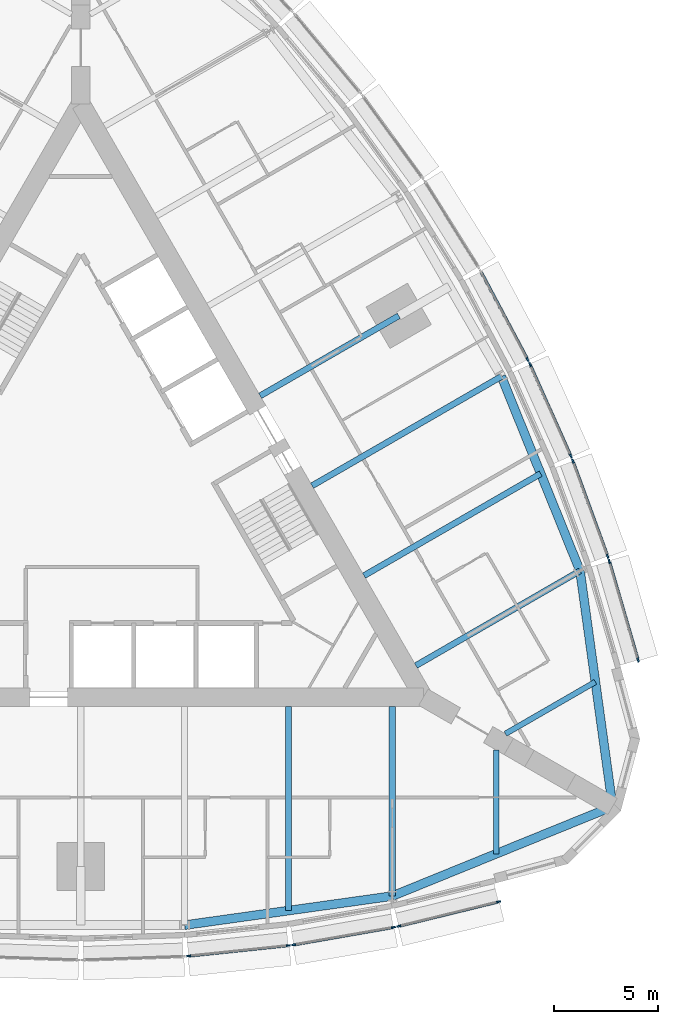
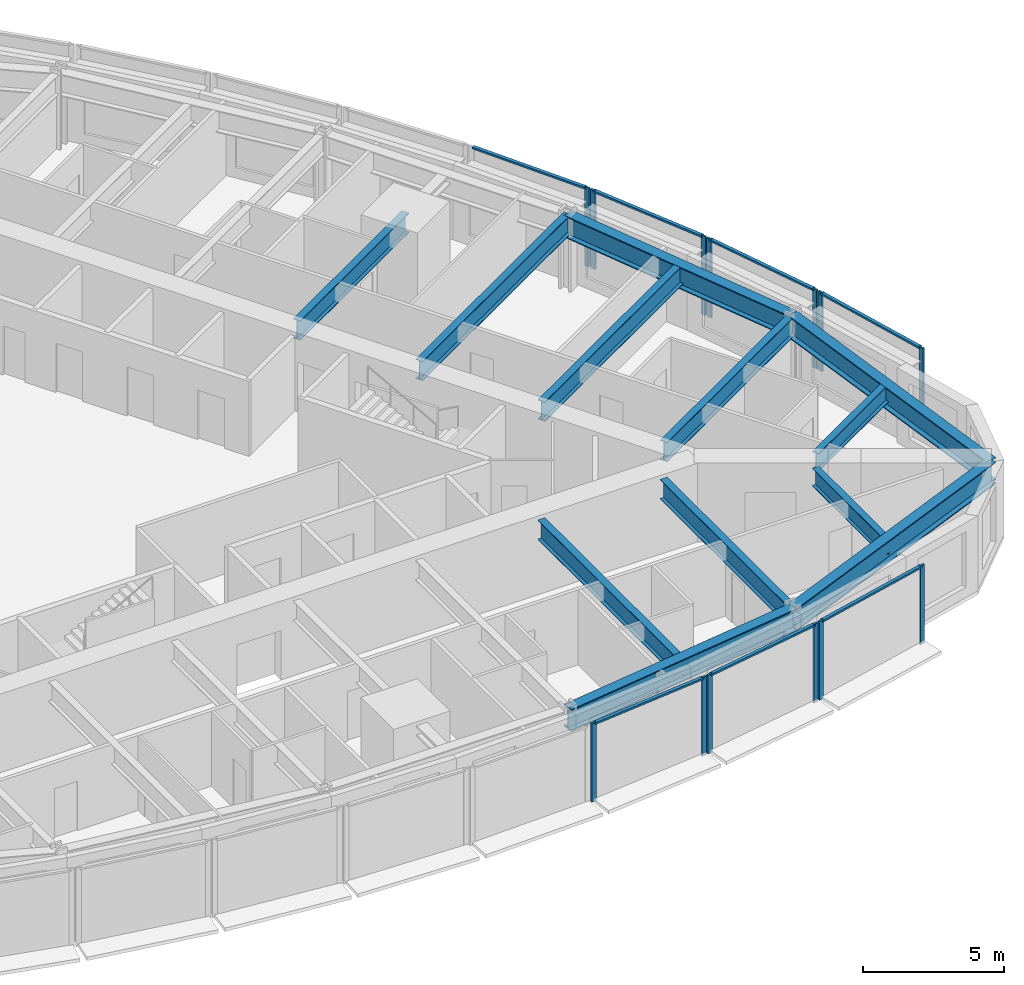
# One storey, part 3 of 14: 20 members, 12 beams, 7 elements without a shape of their own.
"""IFC4 building model written with IfcOpenShell, lengths in metres."""

from ifc_helpers import new_model, si_unit, direction, frame, origin, origin_2d, place, context, subcontext, project, spatial, rectangle, i_section, extrude, material, material_profile, profile_set, type_object, element, aggregate, save


model = new_model("IFC4")

# Units and contexts
model_context = context("Model", 3, precision=1e-05, world=origin(), true_north=direction((0.0, 1.0)))
body_context = subcontext(model_context, "Body", "Model", "MODEL_VIEW")
ifc_project = project(units=[si_unit("LENGTHUNIT", "METRE"), si_unit("AREAUNIT", "SQUARE_METRE"), si_unit("VOLUMEUNIT", "CUBIC_METRE"), si_unit("PLANEANGLEUNIT", "RADIAN"), si_unit("MASSUNIT", "GRAM", prefix="KILO")], contexts=[model_context])

# Site, building, storey
site_placement = place(None, origin())
site = spatial("IfcSite", under=ifc_project, at=site_placement, CompositionType="ELEMENT")
building_placement = place(site_placement, origin())
building = spatial("IfcBuilding", under=site, at=building_placement, Name="Trikona Tower", CompositionType="ELEMENT")
storey_placement = place(building_placement, frame((0.0, 0.0, 169.10009765625)))
storey = spatial("IfcBuildingStorey", under=building, at=storey_placement, Name="L45", CompositionType="ELEMENT", Elevation=169.10009765625)

# Curtain wall, members
ifc_material_1 = material(Name="Aluminium curtain wall system", Category="aluminium")
curtain_wall_type = type_object("IfcCurtainWallType", Name="Curtain wall DS2", PredefinedType="NOTDEFINED", material=ifc_material_1)
curtain_wall_1_placement = place(storey_placement, origin())
curtain_wall_1 = element("IfcCurtainWall", 1, at=curtain_wall_1_placement, inside=storey, type_object=curtain_wall_type, Name="Curtain wall DS2 L45", PredefinedType="NOTDEFINED")
ifc_material_2 = material(Name="Aluminium mullion, pale anodised", Category="aluminium")
ifc_material_profile_1 = material_profile(ifc_material_2, rectangle(XDim=0.080078125, YDim=0.199951171875, at=origin_2d()), Name="MUL-DS2")
ifc_profile_set_1 = profile_set([ifc_material_profile_1], Name="Aluminium mullion, pale anodised")
member_type_1 = type_object("IfcMemberType", Name="Mullion DS2 80x200", PredefinedType="MULLION", material=ifc_profile_set_1)
member_1_placement = place(storey_placement, frame((5.193359375, -21.98486328125, 0.0), z_axis=(0.0, 0.0, 1.0), x_axis=(-0.104433387357, 0.994531883654, 0.0)))
member_1 = element("IfcMember", 2, at=member_1_placement, type_object=member_type_1, Name="CW-DS2 mullion 1", PredefinedType="MULLION", context=body_context, shape_type="SweptSolid", body=[
    extrude(rectangle(XDim=0.080078125, YDim=0.199951171875, at=origin_2d()), origin(), (0.0, 0.0, 1.0), 3.39990234375),
])
member_2_placement = place(storey_placement, frame((9.99462890625, -21.480712890625, 0.0), z_axis=(0.0, 0.0, 1.0), x_axis=(-0.104433387357, 0.994531883654, 0.0)))
member_2 = element("IfcMember", 3, at=member_2_placement, type_object=member_type_1, Name="CW-DS2 mullion 2", PredefinedType="MULLION", context=body_context, shape_type="SweptSolid", body=[
    extrude(rectangle(XDim=0.080078125, YDim=0.199951171875, at=origin_2d()), origin(), (0.0, 0.0, 1.0), 3.39990234375),
])

curtain_wall_2_placement = place(storey_placement, origin())
curtain_wall_2 = element("IfcCurtainWall", 4, at=curtain_wall_2_placement, inside=storey, type_object=curtain_wall_type, Name="Curtain wall DS2 L45", PredefinedType="NOTDEFINED")
member_3_placement = place(storey_placement, frame((10.253662109375, -21.444580078125, 0.0), z_axis=(0.0, 0.0, 1.0), x_axis=(-0.17237739505, 0.985030981074, 0.0)))
member_3 = element("IfcMember", 5, at=member_3_placement, type_object=member_type_1, Name="CW-DS2 mullion 1", PredefinedType="MULLION", context=body_context, shape_type="SweptSolid", body=[
    extrude(rectangle(XDim=0.080078125, YDim=0.199951171875, at=origin_2d()), origin(), (0.0, 0.0, 1.0), 3.39990234375),
])
member_4_placement = place(storey_placement, frame((15.056640625, -20.60400390625, 0.0), z_axis=(0.0, 0.0, 1.0), x_axis=(-0.17237739505, 0.985030981074, 0.0)))
member_4 = element("IfcMember", 6, at=member_4_placement, type_object=member_type_1, Name="CW-DS2 mullion 2", PredefinedType="MULLION", context=body_context, shape_type="SweptSolid", body=[
    extrude(rectangle(XDim=0.080078125, YDim=0.199951171875, at=origin_2d()), origin(), (0.0, 0.0, 1.0), 3.39990234375),
])

curtain_wall_3_placement = place(storey_placement, origin())
curtain_wall_3 = element("IfcCurtainWall", 7, at=curtain_wall_3_placement, inside=storey, type_object=curtain_wall_type, Name="Curtain wall DS2 L45", PredefinedType="NOTDEFINED")
member_5_placement = place(storey_placement, frame((15.311279296875, -20.550537109375, 0.0), z_axis=(0.0, 0.0, 1.0), x_axis=(-0.237970204243, 0.971272455026, 0.0)))
member_5 = element("IfcMember", 8, at=member_5_placement, type_object=member_type_1, Name="CW-DS2 mullion 1", PredefinedType="MULLION", context=body_context, shape_type="SweptSolid", body=[
    extrude(rectangle(XDim=0.080078125, YDim=0.199951171875, at=origin_2d()), origin(), (0.0, 0.0, 1.0), 3.39990234375),
])
member_6_placement = place(storey_placement, frame((20.116943359375, -19.373046875, 0.0), z_axis=(0.0, 0.0, 1.0), x_axis=(-0.237970204243, 0.971272455026, 0.0)))
member_6 = element("IfcMember", 9, at=member_6_placement, type_object=member_type_1, Name="CW-DS2 mullion 2", PredefinedType="MULLION", context=body_context, shape_type="SweptSolid", body=[
    extrude(rectangle(XDim=0.080078125, YDim=0.199951171875, at=origin_2d()), origin(), (0.0, 0.0, 1.0), 3.39990234375),
])

curtain_wall_4_placement = place(storey_placement, origin())
curtain_wall_4 = element("IfcCurtainWall", 10, at=curtain_wall_4_placement, inside=storey, type_object=curtain_wall_type, Name="Curtain wall DS2 L45", PredefinedType="NOTDEFINED")
member_7_placement = place(storey_placement, frame((26.836181640625, -7.7353515625, 0.0), z_axis=(0.0, 0.0, 1.0), x_axis=(-0.96013310152, -0.279543247757, 0.0)))
member_7 = element("IfcMember", 11, at=member_7_placement, type_object=member_type_1, Name="CW-DS2 mullion 1", PredefinedType="MULLION", context=body_context, shape_type="SweptSolid", body=[
    extrude(rectangle(XDim=0.080078125, YDim=0.199951171875, at=origin_2d()), origin(), (0.0, 0.0, 1.0), 3.39990234375),
])
member_8_placement = place(storey_placement, frame((25.452880859375, -2.984619140625, 0.0), z_axis=(0.0, 0.0, 1.0), x_axis=(-0.96013310152, -0.279543247757, 0.0)))
member_8 = element("IfcMember", 12, at=member_8_placement, type_object=member_type_1, Name="CW-DS2 mullion 2", PredefinedType="MULLION", context=body_context, shape_type="SweptSolid", body=[
    extrude(rectangle(XDim=0.080078125, YDim=0.199951171875, at=origin_2d()), origin(), (0.0, 0.0, 1.0), 3.39990234375),
])

curtain_wall_5_placement = place(storey_placement, origin())
curtain_wall_5 = element("IfcCurtainWall", 13, at=curtain_wall_5_placement, inside=storey, type_object=curtain_wall_type, Name="Curtain wall DS2 L45", PredefinedType="NOTDEFINED")
member_9_placement = place(storey_placement, frame((25.371826171875, -2.737548828125, 0.0), z_axis=(0.0, 0.0, 1.0), x_axis=(-0.939253790978, -0.343223420143, 0.0)))
member_9 = element("IfcMember", 14, at=member_9_placement, type_object=member_type_1, Name="CW-DS2 mullion 1", PredefinedType="MULLION", context=body_context, shape_type="SweptSolid", body=[
    extrude(rectangle(XDim=0.080078125, YDim=0.199951171875, at=origin_2d()), origin(), (0.0, 0.0, 1.0), 3.39990234375),
])
member_10_placement = place(storey_placement, frame((23.6982421875, 1.84228515625, 0.0), z_axis=(0.0, 0.0, 1.0), x_axis=(-0.939253790978, -0.343223420143, 0.0)))
member_10 = element("IfcMember", 15, at=member_10_placement, type_object=member_type_1, Name="CW-DS2 mullion 2", PredefinedType="MULLION", context=body_context, shape_type="SweptSolid", body=[
    extrude(rectangle(XDim=0.080078125, YDim=0.199951171875, at=origin_2d()), origin(), (0.0, 0.0, 1.0), 3.39990234375),
])

curtain_wall_6_placement = place(storey_placement, origin())
curtain_wall_6 = element("IfcCurtainWall", 16, at=curtain_wall_6_placement, inside=storey, type_object=curtain_wall_type, Name="Curtain wall DS2 L45", PredefinedType="NOTDEFINED")
member_11_placement = place(storey_placement, frame((23.60009765625, 2.0849609375, 0.0), z_axis=(0.0, 0.0, 1.0), x_axis=(-0.913501208767, -0.406836013132, 0.0)))
member_11 = element("IfcMember", 17, at=member_11_placement, type_object=member_type_1, Name="CW-DS2 mullion 1", PredefinedType="MULLION", context=body_context, shape_type="SweptSolid", body=[
    extrude(rectangle(XDim=0.080078125, YDim=0.199951171875, at=origin_2d()), origin(), (0.0, 0.0, 1.0), 3.39990234375),
])
member_12_placement = place(storey_placement, frame((21.63623046875, 6.494873046875, 0.0), z_axis=(0.0, 0.0, 1.0), x_axis=(-0.913501208767, -0.406836013132, 0.0)))
member_12 = element("IfcMember", 18, at=member_12_placement, type_object=member_type_1, Name="CW-DS2 mullion 2", PredefinedType="MULLION", context=body_context, shape_type="SweptSolid", body=[
    extrude(rectangle(XDim=0.080078125, YDim=0.199951171875, at=origin_2d()), origin(), (0.0, 0.0, 1.0), 3.39990234375),
])

# Curtain wall, member
curtain_wall_7_placement = place(storey_placement, origin())
curtain_wall_7 = element("IfcCurtainWall", 19, at=curtain_wall_7_placement, inside=storey, type_object=curtain_wall_type, Name="Curtain wall DS2 L45", PredefinedType="NOTDEFINED")
member_13_placement = place(storey_placement, frame((21.52099609375, 6.730712890625, 0.0), z_axis=(0.0, 0.0, 1.0), x_axis=(-0.882996107343, -0.469380308937, 0.0)))
member_13 = element("IfcMember", 20, at=member_13_placement, type_object=member_type_1, Name="CW-DS2 mullion 1", PredefinedType="MULLION", context=body_context, shape_type="SweptSolid", body=[
    extrude(rectangle(XDim=0.080078125, YDim=0.199951171875, at=origin_2d()), origin(), (0.0, 0.0, 1.0), 3.39990234375),
])

# Beams
ifc_material_3 = material(Name="Steel ASTM A992 Grade 50", Category="steel")
ifc_material_profile_2 = material_profile(ifc_material_3, i_section(OverallWidth=0.2666015625, OverallDepth=0.76953125, WebThickness=0.015625, FlangeThickness=0.025390625, at=origin_2d()), Name="W30X132")
ifc_profile_set_2 = profile_set([ifc_material_profile_2], Name="Steel ASTM A992 Grade 50")
beam_type_1 = type_object("IfcBeamType", Name="Steel beam W30x132 (wedge)", PredefinedType="BEAM", material=ifc_profile_set_2)
beam_1_placement = place(storey_placement, frame((20.0, -12.066650390625, 2.85009765625), z_axis=(0.0, -1.0, 0.0), x_axis=(1.0, 0.0, 0.0)))
element("IfcBeam", 21, at=beam_1_placement, inside=storey, type_object=beam_type_1, Name="Floor beam L46 F1 u20", PredefinedType="BEAM", context=body_context, shape_type="SweptSolid", body=[
    extrude(i_section(OverallWidth=0.2666015625, OverallDepth=0.76953125, WebThickness=0.015625, FlangeThickness=0.025390625, at=origin_2d()), origin(), (0.0, 0.0, 1.0), 5.00048828125),
])
beam_2_placement = place(storey_placement, frame((20.449951171875, -11.287109375, 2.85009765625), z_axis=(0.866038434829, 0.49997742889, 0.0), x_axis=(-0.49997742889, 0.866038434829, 0.0)))
element("IfcBeam", 22, at=beam_2_placement, inside=storey, type_object=beam_type_1, Name="Floor beam L46 F2 u-20", PredefinedType="BEAM", context=body_context, shape_type="SweptSolid", body=[
    extrude(i_section(OverallWidth=0.2666015625, OverallDepth=0.76953125, WebThickness=0.015625, FlangeThickness=0.025390625, at=origin_2d()), origin(), (0.0, 0.0, 1.0), 5.000732421875),
])
ifc_material_4 = material(Name="Steel ASTM A992 Grade 50", Category="steel")
ifc_material_profile_3 = material_profile(ifc_material_4, i_section(OverallWidth=0.2919921875, OverallDepth=0.845703125, WebThickness=0.015380859375, FlangeThickness=0.0244140625, at=origin_2d()), Name="W33X141")
ifc_profile_set_3 = profile_set([ifc_material_profile_3], Name="Steel ASTM A992 Grade 50")
beam_type_2 = type_object("IfcBeamType", Name="Steel beam W33x141 (radial typ)", PredefinedType="BEAM", material=ifc_profile_set_3)
beam_3_placement = place(storey_placement, frame((10.0, -9.976318359375, 2.81201171875), z_axis=(0.0, -1.0, 0.0), x_axis=(1.0, 0.0, 0.0)))
element("IfcBeam", 23, at=beam_3_placement, inside=storey, type_object=beam_type_2, Name="Floor beam L46 F1 u10", PredefinedType="BEAM", context=body_context, shape_type="SweptSolid", body=[
    extrude(i_section(OverallWidth=0.2919921875, OverallDepth=0.845703125, WebThickness=0.015380859375, FlangeThickness=0.0244140625, at=origin_2d()), origin(), (0.0, 0.0, 1.0), 9.823974609375),
])
beam_4_placement = place(storey_placement, frame((15.0, -9.976318359375, 2.81201171875), z_axis=(0.0, -1.0, 0.0), x_axis=(1.0, 0.0, 0.0)))
element("IfcBeam", 24, at=beam_4_placement, inside=storey, type_object=beam_type_2, Name="Floor beam L46 F1 u15", PredefinedType="BEAM", context=body_context, shape_type="SweptSolid", body=[
    extrude(i_section(OverallWidth=0.2919921875, OverallDepth=0.845703125, WebThickness=0.015380859375, FlangeThickness=0.0244140625, at=origin_2d()), origin(), (0.0, 0.0, 1.0), 9.123779296875),
])
beam_5_placement = place(storey_placement, frame((16.1396484375, -8.002197265625, 2.81201171875), z_axis=(0.866024725532, 0.500001174766, 0.0), x_axis=(-0.500001174766, 0.866024725532, 0.0)))
element("IfcBeam", 25, at=beam_5_placement, inside=storey, type_object=beam_type_2, Name="Floor beam L46 F2 u-15", PredefinedType="BEAM", context=body_context, shape_type="SweptSolid", body=[
    extrude(i_section(OverallWidth=0.2919921875, OverallDepth=0.845703125, WebThickness=0.015380859375, FlangeThickness=0.0244140625, at=origin_2d()), origin(), (0.0, 0.0, 1.0), 9.1240234375),
])
beam_6_placement = place(storey_placement, frame((13.6396484375, -3.672119140625, 2.81201171875), z_axis=(0.866020046725, 0.500009278584, 0.0), x_axis=(-0.500009278584, 0.866020046725, 0.0)))
element("IfcBeam", 26, at=beam_6_placement, inside=storey, type_object=beam_type_2, Name="Floor beam L46 F2 u-10", PredefinedType="BEAM", context=body_context, shape_type="SweptSolid", body=[
    extrude(i_section(OverallWidth=0.2919921875, OverallDepth=0.845703125, WebThickness=0.015380859375, FlangeThickness=0.0244140625, at=origin_2d()), origin(), (0.0, 0.0, 1.0), 9.823974609375),
])
beam_7_placement = place(storey_placement, frame((11.1396484375, 0.657958984375, 2.81201171875), z_axis=(0.866026035623, 0.499998905622, 0.0), x_axis=(-0.499998905622, 0.866026035623, 0.0)))
element("IfcBeam", 27, at=beam_7_placement, inside=storey, type_object=beam_type_2, Name="Floor beam L46 F2 u-5", PredefinedType="BEAM", context=body_context, shape_type="SweptSolid", body=[
    extrude(i_section(OverallWidth=0.2919921875, OverallDepth=0.845703125, WebThickness=0.015380859375, FlangeThickness=0.0244140625, at=origin_2d()), origin(), (0.0, 0.0, 1.0), 10.52392578125),
])
beam_8_placement = place(storey_placement, frame((8.6396484375, 4.988037109375, 2.81201171875), z_axis=(0.866017246294, 0.500014128921, 0.0), x_axis=(-0.500014128921, 0.866017246294, 0.0)))
element("IfcBeam", 28, at=beam_8_placement, inside=storey, type_object=beam_type_2, Name="Floor beam L46 F2 u0", PredefinedType="BEAM", context=body_context, shape_type="SweptSolid", body=[
    extrude(i_section(OverallWidth=0.2919921875, OverallDepth=0.845703125, WebThickness=0.015380859375, FlangeThickness=0.0244140625, at=origin_2d()), origin(), (0.0, 0.0, 1.0), 7.704345703125),
])
ifc_material_5 = material(Name="Steel ASTM A992 Grade 50", Category="steel")
ifc_material_profile_4 = material_profile(ifc_material_5, i_section(OverallWidth=0.424072265625, OverallDepth=0.947509765625, WebThickness=0.02392578125, FlangeThickness=0.042724609375, at=origin_2d()), Name="W36X302")
ifc_profile_set_4 = profile_set([ifc_material_profile_4], Name="Steel ASTM A992 Grade 50")
beam_type_3 = type_object("IfcBeamType", Name="Steel beam W36x302 (spandrel)", PredefinedType="SPANDREL", material=ifc_profile_set_4)
beam_9_placement = place(storey_placement, frame((5.0, -20.500244140625, 2.76123046875), z_axis=(0.990339754644, 0.13866207258, 0.0), x_axis=(-0.13866207258, 0.990339754644, 0.0)))
element("IfcBeam", 29, at=beam_9_placement, inside=storey, type_object=beam_type_3, Name="Spandrel beam L46 F1-4", PredefinedType="SPANDREL", context=body_context, shape_type="SweptSolid", body=[
    extrude(i_section(OverallWidth=0.424072265625, OverallDepth=0.947509765625, WebThickness=0.02392578125, FlangeThickness=0.042724609375, at=origin_2d()), origin(), (0.0, 0.0, 1.0), 10.09765625),
])
for number, where, z_axis, x_axis, name in (
    (30, (15.0, -19.10009765625, 2.76123046875), (0.926359695662, 0.376640032728, 0.0), (-0.376640032728, 0.926359695662, 0.0), "Spandrel beam L46 F1-5"),
    (31, (25.6103515625, -14.7861328125, 2.76123046875), (-0.136991535842, 0.990572218017, 0.0), (-0.990572218017, -0.136991535842, 0.0), "Spandrel beam L46 F2-1"),
):
    element("IfcBeam", number, at=place(storey_placement, frame(where, z_axis=z_axis, x_axis=x_axis)), inside=storey, type_object=beam_type_3, Name=name, PredefinedType="SPANDREL", context=body_context, shape_type="SweptSolid", body=[
        extrude(i_section(OverallWidth=0.424072265625, OverallDepth=0.947509765625, WebThickness=0.02392578125, FlangeThickness=0.042724609375, at=origin_2d()), origin(), (0.0, 0.0, 1.0), 11.453857421875),
    ])
beam_10_placement = place(storey_placement, frame((24.041259765625, -3.440185546875, 2.76123046875), z_axis=(-0.375106193787, 0.926981846307, 0.0), x_axis=(-0.926981846307, -0.375106193787, 0.0)))
element("IfcBeam", 32, at=beam_10_placement, inside=storey, type_object=beam_type_3, Name="Spandrel beam L46 F2-2", PredefinedType="SPANDREL", context=body_context, shape_type="SweptSolid", body=[
    extrude(i_section(OverallWidth=0.424072265625, OverallDepth=0.947509765625, WebThickness=0.02392578125, FlangeThickness=0.042724609375, at=origin_2d()), origin(), (0.0, 0.0, 1.0), 10.097412109375),
])

# Member
ifc_material_6 = material(Name="Aluminium transom, pale anodised", Category="aluminium")
ifc_material_profile_5 = material_profile(ifc_material_6, rectangle(XDim=0.139892578125, YDim=0.080078125, at=origin_2d()), Name="TRN-DS2")
ifc_profile_set_5 = profile_set([ifc_material_profile_5], Name="Aluminium transom, pale anodised")
member_type_2 = type_object("IfcMemberType", Name="Transom DS2 80x140", PredefinedType="USERDEFINED", material=ifc_profile_set_5)
member_14_placement = place(storey_placement, frame((5.233154296875, -21.980712890625, 3.35986328125), z_axis=(0.99453106441, 0.104441188822, 0.0), x_axis=(-0.104441188822, 0.99453106441, 0.0)))
member_14 = element("IfcMember", 33, at=member_14_placement, type_object=member_type_2, Name="CW-DS2 transom 1.1", ObjectType="TRANSOM", PredefinedType="USERDEFINED", context=body_context, shape_type="SweptSolid", body=[
    extrude(rectangle(XDim=0.139892578125, YDim=0.080078125, at=origin_2d()), origin(), (0.0, 0.0, 1.0), 4.74755859375),
])

aggregate(curtain_wall_1, [member_1, member_2, member_14])

member_15_placement = place(storey_placement, frame((10.29296875, -21.4375, 3.35986328125), z_axis=(0.98503262804, 0.172367983387, 0.0), x_axis=(-0.172367983387, 0.98503262804, 0.0)))
member_15 = element("IfcMember", 34, at=member_15_placement, type_object=member_type_2, Name="CW-DS2 transom 1.1", ObjectType="TRANSOM", PredefinedType="USERDEFINED", context=body_context, shape_type="SweptSolid", body=[
    extrude(rectangle(XDim=0.139892578125, YDim=0.080078125, at=origin_2d()), origin(), (0.0, 0.0, 1.0), 4.7958984375),
])

aggregate(curtain_wall_2, [member_3, member_4, member_15])

member_16_placement = place(storey_placement, frame((15.35009765625, -20.541015625, 3.35986328125), z_axis=(0.971270583303, 0.237977843528, 0.0), x_axis=(-0.237977843528, 0.971270583303, 0.0)))
member_16 = element("IfcMember", 35, at=member_16_placement, type_object=member_type_2, Name="CW-DS2 transom 1.1", ObjectType="TRANSOM", PredefinedType="USERDEFINED", context=body_context, shape_type="SweptSolid", body=[
    extrude(rectangle(XDim=0.139892578125, YDim=0.080078125, at=origin_2d()), origin(), (0.0, 0.0, 1.0), 4.867919921875),
])

aggregate(curtain_wall_3, [member_5, member_6, member_16])

member_17_placement = place(storey_placement, frame((26.824951171875, -7.69677734375, 3.35986328125), z_axis=(-0.279566628153, 0.960126293996, 0.0), x_axis=(-0.960126293996, -0.279566628153, 0.0)))
member_17 = element("IfcMember", 36, at=member_17_placement, type_object=member_type_2, Name="CW-DS2 transom 1.1", ObjectType="TRANSOM", PredefinedType="USERDEFINED", context=body_context, shape_type="SweptSolid", body=[
    extrude(rectangle(XDim=0.139892578125, YDim=0.080078125, at=origin_2d()), origin(), (0.0, 0.0, 1.0), 4.86767578125),
])

aggregate(curtain_wall_4, [member_7, member_8, member_17])

member_18_placement = place(storey_placement, frame((25.358154296875, -2.699951171875, 3.35986328125), z_axis=(-0.343205907674, 0.939260190223, 0.0), x_axis=(-0.939260190223, -0.343205907674, 0.0)))
member_18 = element("IfcMember", 37, at=member_18_placement, type_object=member_type_2, Name="CW-DS2 transom 1.1", ObjectType="TRANSOM", PredefinedType="USERDEFINED", context=body_context, shape_type="SweptSolid", body=[
    extrude(rectangle(XDim=0.139892578125, YDim=0.080078125, at=origin_2d()), origin(), (0.0, 0.0, 1.0), 4.7958984375),
])

aggregate(curtain_wall_5, [member_9, member_10, member_18])

member_19_placement = place(storey_placement, frame((23.583740234375, 2.12158203125, 3.35986328125), z_axis=(-0.406839769607, 0.913499535778, 0.0), x_axis=(-0.913499535778, -0.406839769607, 0.0)))
member_19 = element("IfcMember", 38, at=member_19_placement, type_object=member_type_2, Name="CW-DS2 transom 1.1", ObjectType="TRANSOM", PredefinedType="USERDEFINED", context=body_context, shape_type="SweptSolid", body=[
    extrude(rectangle(XDim=0.139892578125, YDim=0.080078125, at=origin_2d()), origin(), (0.0, 0.0, 1.0), 4.747314453125),
])

aggregate(curtain_wall_6, [member_11, member_12, member_19])

member_20_placement = place(storey_placement, frame((21.502197265625, 6.76611328125, 3.35986328125), z_axis=(-0.469364343408, 0.883004594063, 0.0), x_axis=(-0.883004594063, -0.469364343408, 0.0)))
member_20 = element("IfcMember", 39, at=member_20_placement, type_object=member_type_2, Name="CW-DS2 transom 1.1", ObjectType="TRANSOM", PredefinedType="USERDEFINED", context=body_context, shape_type="SweptSolid", body=[
    extrude(rectangle(XDim=0.139892578125, YDim=0.080078125, at=origin_2d()), origin(), (0.0, 0.0, 1.0), 4.722900390625),
])

aggregate(curtain_wall_7, [member_13, member_20])

save(model, "model.ifc")
